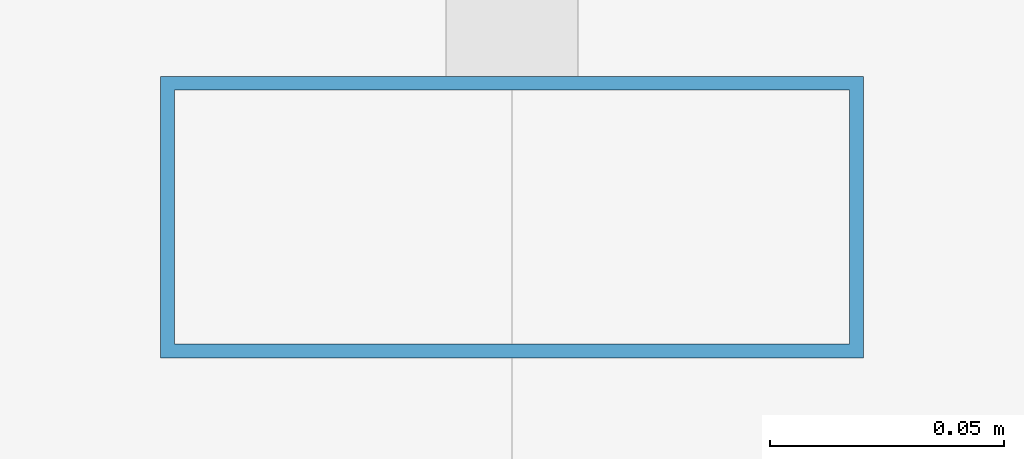
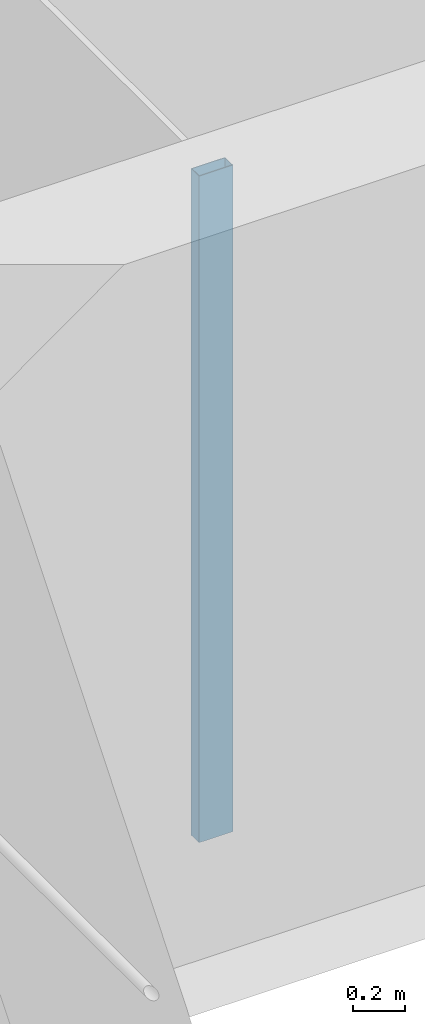
# One storey, part 11 of 40: 1 member, 1 element without a shape of its own.
"""IFC4 building model written with IfcOpenShell, lengths in metres."""

from ifc_helpers import new_model, si_unit, direction, frame, origin, origin_2d, place, context, subcontext, project, spatial, hollow_rectangle, extrude, material, material_profile, profile_set, type_object, element, aggregate, save


model = new_model("IFC4")

# Units and contexts
model_context = context("Model", 3, precision=1e-05, world=origin(), true_north=direction((0.0, 1.0)))
body_context = subcontext(model_context, "Body", "Model", "MODEL_VIEW")
ifc_project = project(units=[si_unit("LENGTHUNIT", "METRE"), si_unit("AREAUNIT", "SQUARE_METRE"), si_unit("VOLUMEUNIT", "CUBIC_METRE"), si_unit("PLANEANGLEUNIT", "RADIAN"), si_unit("MASSUNIT", "GRAM", prefix="KILO")], contexts=[model_context])

# Site, building, storey
site_placement = place(None, origin())
site = spatial("IfcSite", under=ifc_project, at=site_placement, CompositionType="ELEMENT")
building_placement = place(site_placement, origin())
building = spatial("IfcBuilding", under=site, at=building_placement, Name="Altepetl Exchange Towers", CompositionType="ELEMENT")
storey_placement = place(building_placement, frame((0.0, 0.0, 176.199951171875)))
storey = spatial("IfcBuildingStorey", under=building, at=storey_placement, Name="L44", CompositionType="ELEMENT", Elevation=176.199951171875)

# Curtain wall, member
ifc_material_1 = material(Name="Aluminium 6063-T6 glazing", Category="aluminium")
curtain_wall_type = type_object("IfcCurtainWallType", Name="Loggia glazing system", PredefinedType="NOTDEFINED", material=ifc_material_1)
curtain_wall_placement = place(storey_placement, origin())
curtain_wall = element("IfcCurtainWall", 1, at=curtain_wall_placement, inside=storey, type_object=curtain_wall_type, Name="CW1 run", PredefinedType="NOTDEFINED")
ifc_material_2 = material(Name="Aluminium 6063-T6", Category="aluminium")
ifc_material_profile = material_profile(ifc_material_2, hollow_rectangle(XDim=0.06005859375, YDim=0.14990234375, WallThickness=0.0029296875, at=origin_2d()), Name="Mullion 60x150 aluminium")
ifc_profile_set = profile_set([ifc_material_profile], Name="Aluminium 6063-T6")
member_type = type_object("IfcMemberType", Name="Mullion 60x150 aluminium", PredefinedType="MULLION", material=ifc_profile_set)
member_placement = place(storey_placement, frame((42.5, 58.60498046875, 0.0), z_axis=(0.0, 0.0, 1.0), x_axis=(0.0, -1.0, 0.0)))
member = element("IfcMember", 2, at=member_placement, type_object=member_type, Name="MU1 mullion", PredefinedType="MULLION", context=body_context, shape_type="SweptSolid", body=[
    extrude(hollow_rectangle(XDim=0.06005859375, YDim=0.14990234375, WallThickness=0.0029296875, at=origin_2d()), origin(), (0.0, 0.0, 1.0), 3.10009765625),
])
aggregate(curtain_wall, [member])

save(model, "model.ifc")
